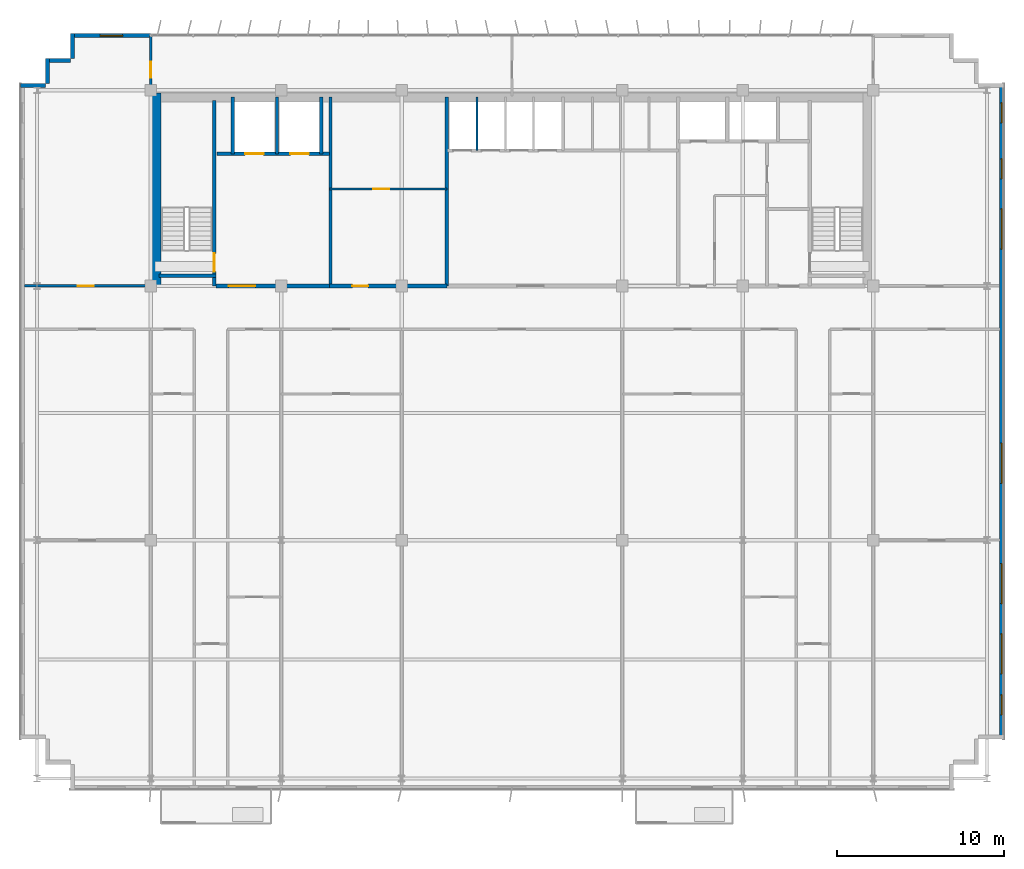
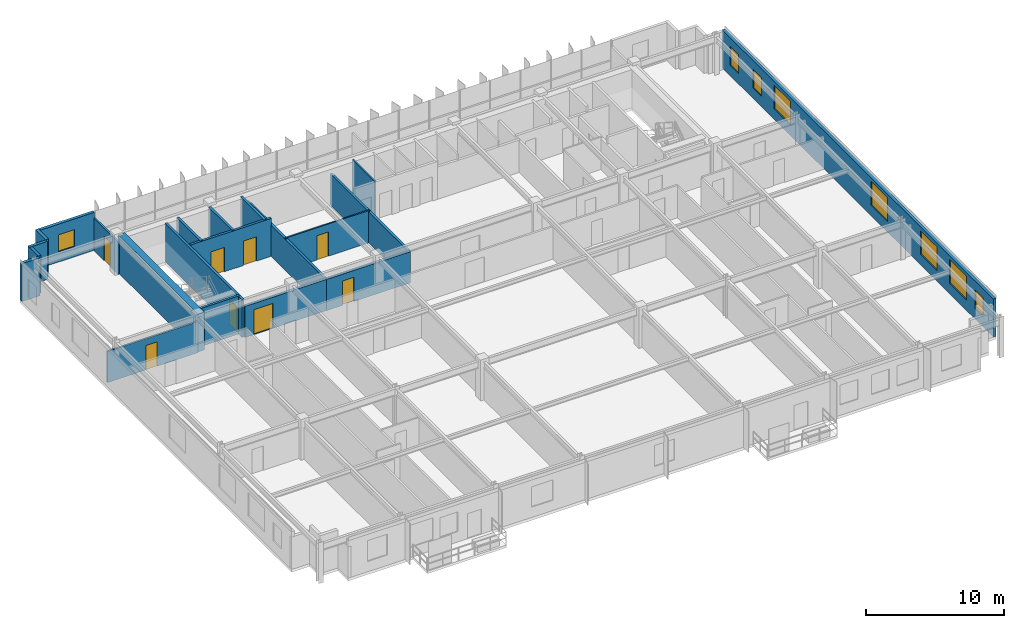
# One storey, part 16 of 20: 21 walls, 8 doors, 8 windows, 16 openings.
"""IFC4 building model written with IfcOpenShell, lengths in metres."""

from ifc_helpers import new_model, si_unit, direction, frame, frame_2d, origin, place, context, subcontext, project, spatial, rectangle, extrude, source, transform, mapped, material, layer, layer_set, type_object, element, fill, save


model = new_model("IFC4")

# Units and contexts
model_context = context("Model", 3, precision=1e-05, world=origin(), true_north=direction((0.0, 1.0)))
body_context = subcontext(model_context, "Body", "Model", "MODEL_VIEW")
ifc_project = project(units=[si_unit("LENGTHUNIT", "METRE"), si_unit("AREAUNIT", "SQUARE_METRE"), si_unit("VOLUMEUNIT", "CUBIC_METRE"), si_unit("PLANEANGLEUNIT", "RADIAN"), si_unit("MASSUNIT", "GRAM", prefix="KILO")], contexts=[model_context])

# Site, building, storey
site_placement = place(None, origin())
site = spatial("IfcSite", under=ifc_project, at=site_placement, CompositionType="ELEMENT")
building_placement = place(site_placement, origin())
building = spatial("IfcBuilding", under=site, at=building_placement, Name="Trelvane Seafront Commons", CompositionType="ELEMENT")
storey_placement = place(building_placement, frame((0.0, 0.0, 150.10009765625)))
storey = spatial("IfcBuildingStorey", under=building, at=storey_placement, Name="L39", CompositionType="ELEMENT", Elevation=150.10009765625)

# Wall, opening, window
ifc_material_1 = material(Name="Precast concrete C40/50", Category="concrete")
ifc_layer_1 = layer(ifc_material_1, 0.239990234375, Name="ARCH-WALL-EXT240")
ifc_layer_set_1 = layer_set([ifc_layer_1], Name="Precast concrete C40/50")
wall_type_1 = type_object("IfcWallType", Name="ARCH-WALL-EXT240", PredefinedType="SOLIDWALL", material=ifc_layer_set_1)
wall_1_placement = place(storey_placement, frame((10.89990234375, 48.3701171875, 0.0), z_axis=(0.0, 0.0, 1.0), x_axis=(1.0, 0.0, 0.0)))
wall_1 = element("IfcWall", 1, at=wall_1_placement, inside=storey, type_object=wall_type_1, Name="EW-L39-NW-0758", PredefinedType="SOLIDWALL", context=body_context, shape_type="SweptSolid", body=[
    extrude(rectangle(XDim=4.7001953125, YDim=0.239990234375, at=frame_2d((2.35009765625, 0.0))), origin(), (0.0, 0.0, 1.0), 3.349853515625),
])
opening_1_placement = place(wall_1_placement, frame((1.675048828125, 0.0, 0.89990234375)))
opening_1 = element("IfcOpeningElement", 2, at=opening_1_placement, cuts=wall_1, Name="Opening W09", PredefinedType="OPENING", context=body_context, shape_type="SweptSolid", body=[
    extrude(rectangle(XDim=1.35009765625, YDim=1.5, at=frame_2d((0.675048828125, 0.75))), frame((0.0, 0.1298828125, 0.0), z_axis=(0.0, -1.0, 0.0), x_axis=(1.0, 0.0, 0.0)), (0.0, 0.0, 1.0), 0.260009765625),
])
ifc_material_2 = material(Name="Low-E coastal double glazing", Category="glass")
window_type_1 = type_object("IfcWindowType", Name="ARCH-WIN-W09", PartitioningType="SINGLE_PANEL", PredefinedType="WINDOW", material=ifc_material_2)
shared_shape_1 = source(origin(), body_context, "Body", "SweptSolid", [
    extrude(rectangle(XDim=1.35009765625, YDim=1.5, at=frame_2d((0.675048828125, 0.75))), frame((0.0, 0.030029296875, 0.0), z_axis=(0.0, -1.0, 0.0), x_axis=(1.0, 0.0, 0.0)), (0.0, 0.0, 1.0), 0.06005859375),
])
window_1_placement = place(opening_1_placement, origin())
window_1 = element("IfcWindow", 3, at=window_1_placement, inside=storey, type_object=window_type_1, Name="WIN-L39-00900", OverallHeight=1.5, OverallWidth=1.35009765625, PartitioningType="SINGLE_PANEL", PredefinedType="WINDOW", context=body_context, shape_type="MappedRepresentation", body=[
    mapped(shared_shape_1, transform((0.0, 0.0, 0.0), x_axis=(1.0, 0.0, 0.0), y_axis=(0.0, 1.0, 0.0), z_axis=(0.0, 0.0, 1.0), scale=1.0)),
])
fill(opening_1, window_1)

# Walls
for number, where, z_axis, x_axis, name in (
    (4, (7.800048828125, 45.3798828125, 0.0), (0.0, 0.0, 1.0), (1.0, 0.0, 0.0), "EW-L39-00764"),
    (5, (9.419921875, 45.5, 0.0), (0.0, 0.0, 1.0), (0.0, 1.0, 0.0), "EW-L39-00765"),
    (6, (9.300048828125, 46.8798828125, 0.0), (0.0, 0.0, 1.0), (1.0, 0.0, 0.0), "EW-L39-00766"),
    (7, (10.919921875, 47.0, 0.0), (0.0, 0.0, 1.0), (0.0, 1.0, 0.0), "EW-L39-00767"),
):
    element("IfcWall", number, at=place(storey_placement, frame(where, z_axis=z_axis, x_axis=x_axis)), inside=storey, type_object=wall_type_1, Name=name, PredefinedType="SOLIDWALL", context=body_context, shape_type="SweptSolid", body=[
        extrude(rectangle(XDim=1.5, YDim=0.239990234375, at=frame_2d((0.75, 0.0))), origin(), (0.0, 0.0, 1.0), 3.349853515625),
    ])

# Wall, openings, windows
wall_2_placement = place(storey_placement, frame((66.47998046875, 45.5, 0.0), z_axis=(0.0, 0.0, 1.0), x_axis=(0.0, -1.0, 0.0)))
wall_2 = element("IfcWall", 8, at=wall_2_placement, inside=storey, type_object=wall_type_1, Name="EW-L39-00772", PredefinedType="SOLIDWALL", context=body_context, shape_type="SweptSolid", body=[
    extrude(rectangle(XDim=39.199951171875, YDim=0.239990234375, at=frame_2d((19.60009765625, 0.0))), origin(), (0.0, 0.0, 1.0), 3.349853515625),
])
opening_2_placement = place(wall_2_placement, frame((36.550048828125, 0.0, 0.919921875)))
opening_2 = element("IfcOpeningElement", 9, at=opening_2_placement, cuts=wall_2, Name="Opening W05", PredefinedType="OPENING", context=body_context, shape_type="SweptSolid", body=[
    extrude(rectangle(XDim=1.199951171875, YDim=1.64990234375, at=frame_2d((0.60009765625, 0.824951171875))), frame((0.0, 0.1298828125, 0.0), z_axis=(0.0, -1.0, 0.0), x_axis=(1.0, 0.0, 0.0)), (0.0, 0.0, 1.0), 0.260009765625),
])
opening_3_placement = place(wall_2_placement, frame((32.89990234375, 0.0, 0.919921875)))
opening_3 = element("IfcOpeningElement", 10, at=opening_3_placement, cuts=wall_2, Name="Opening W08", PredefinedType="OPENING", context=body_context, shape_type="SweptSolid", body=[
    extrude(rectangle(XDim=2.39990234375, YDim=2.10009765625, at=frame_2d((1.199951171875, 1.050048828125))), frame((0.0, 0.1298828125, 0.0), z_axis=(0.0, -1.0, 0.0), x_axis=(1.0, 0.0, 0.0)), (0.0, 0.0, 1.0), 0.260009765625),
])
opening_4_placement = place(wall_2_placement, frame((28.699951171875, 0.0, 0.919921875)))
opening_4 = element("IfcOpeningElement", 11, at=opening_4_placement, cuts=wall_2, Name="Opening W08", PredefinedType="OPENING", context=body_context, shape_type="SweptSolid", body=[
    extrude(rectangle(XDim=2.39990234375, YDim=2.10009765625, at=frame_2d((1.199951171875, 1.050048828125))), frame((0.0, 0.1298828125, 0.0), z_axis=(0.0, -1.0, 0.0), x_axis=(1.0, 0.0, 0.0)), (0.0, 0.0, 1.0), 0.260009765625),
])
opening_5_placement = place(wall_2_placement, frame((21.5, 0.0, 0.919921875)))
opening_5 = element("IfcOpeningElement", 12, at=opening_5_placement, cuts=wall_2, Name="Opening W08", PredefinedType="OPENING", context=body_context, shape_type="SweptSolid", body=[
    extrude(rectangle(XDim=2.39990234375, YDim=2.10009765625, at=frame_2d((1.199951171875, 1.050048828125))), frame((0.0, 0.1298828125, 0.0), z_axis=(0.0, -1.0, 0.0), x_axis=(1.0, 0.0, 0.0)), (0.0, 0.0, 1.0), 0.260009765625),
])
opening_6_placement = place(wall_2_placement, frame((7.5, 0.0, 0.919921875)))
opening_6 = element("IfcOpeningElement", 13, at=opening_6_placement, cuts=wall_2, Name="Opening W08", PredefinedType="OPENING", context=body_context, shape_type="SweptSolid", body=[
    extrude(rectangle(XDim=2.39990234375, YDim=2.10009765625, at=frame_2d((1.199951171875, 1.050048828125))), frame((0.0, 0.1298828125, 0.0), z_axis=(0.0, -1.0, 0.0), x_axis=(1.0, 0.0, 0.0)), (0.0, 0.0, 1.0), 0.260009765625),
])
opening_7_placement = place(wall_2_placement, frame((4.5, 0.0, 0.919921875)))
opening_7 = element("IfcOpeningElement", 14, at=opening_7_placement, cuts=wall_2, Name="Opening W05", PredefinedType="OPENING", context=body_context, shape_type="SweptSolid", body=[
    extrude(rectangle(XDim=1.199951171875, YDim=1.64990234375, at=frame_2d((0.60009765625, 0.824951171875))), frame((0.0, 0.1298828125, 0.0), z_axis=(0.0, -1.0, 0.0), x_axis=(1.0, 0.0, 0.0)), (0.0, 0.0, 1.0), 0.260009765625),
])
opening_8_placement = place(wall_2_placement, frame((1.14990234375, 0.0, 0.919921875)))
opening_8 = element("IfcOpeningElement", 15, at=opening_8_placement, cuts=wall_2, Name="Opening W05", PredefinedType="OPENING", context=body_context, shape_type="SweptSolid", body=[
    extrude(rectangle(XDim=1.199951171875, YDim=1.64990234375, at=frame_2d((0.60009765625, 0.824951171875))), frame((0.0, 0.1298828125, 0.0), z_axis=(0.0, -1.0, 0.0), x_axis=(1.0, 0.0, 0.0)), (0.0, 0.0, 1.0), 0.260009765625),
])
window_type_2 = type_object("IfcWindowType", Name="ARCH-WIN-W08", PartitioningType="SINGLE_PANEL", PredefinedType="WINDOW", material=ifc_material_2)
shared_shape_2 = source(origin(), body_context, "Body", "SweptSolid", [
    extrude(rectangle(XDim=2.39990234375, YDim=2.10009765625, at=frame_2d((1.199951171875, 1.050048828125))), frame((0.0, 0.030029296875, 0.0), z_axis=(0.0, -1.0, 0.0), x_axis=(1.0, 0.0, 0.0)), (0.0, 0.0, 1.0), 0.06005859375),
])
window_2_placement = place(opening_3_placement, origin())
window_2 = element("IfcWindow", 16, at=window_2_placement, inside=storey, type_object=window_type_2, Name="WIN-L39-EW-00910", OverallHeight=2.10009765625, OverallWidth=2.39990234375, PartitioningType="SINGLE_PANEL", PredefinedType="WINDOW", context=body_context, shape_type="MappedRepresentation", body=[
    mapped(shared_shape_2, transform((0.0, 0.0, 0.0), x_axis=(1.0, 0.0, 0.0), y_axis=(0.0, 1.0, 0.0), z_axis=(0.0, 0.0, 1.0), scale=1.0)),
])
fill(opening_3, window_2)
window_3_placement = place(opening_4_placement, origin())
window_3 = element("IfcWindow", 17, at=window_3_placement, inside=storey, type_object=window_type_2, Name="WIN-L39-EW-00911", OverallHeight=2.10009765625, OverallWidth=2.39990234375, PartitioningType="SINGLE_PANEL", PredefinedType="WINDOW", context=body_context, shape_type="MappedRepresentation", body=[
    mapped(shared_shape_2, transform((0.0, 0.0, 0.0), x_axis=(1.0, 0.0, 0.0), y_axis=(0.0, 1.0, 0.0), z_axis=(0.0, 0.0, 1.0), scale=1.0)),
])
fill(opening_4, window_3)
window_4_placement = place(opening_5_placement, origin())
window_4 = element("IfcWindow", 18, at=window_4_placement, inside=storey, type_object=window_type_2, Name="WIN-L39-EW-00912", OverallHeight=2.10009765625, OverallWidth=2.39990234375, PartitioningType="SINGLE_PANEL", PredefinedType="WINDOW", context=body_context, shape_type="MappedRepresentation", body=[
    mapped(shared_shape_2, transform((0.0, 0.0, 0.0), x_axis=(1.0, 0.0, 0.0), y_axis=(0.0, 1.0, 0.0), z_axis=(0.0, 0.0, 1.0), scale=1.0)),
])
fill(opening_5, window_4)
window_5_placement = place(opening_6_placement, origin())
window_5 = element("IfcWindow", 19, at=window_5_placement, inside=storey, type_object=window_type_2, Name="WIN-L39-EW-00913", OverallHeight=2.10009765625, OverallWidth=2.39990234375, PartitioningType="SINGLE_PANEL", PredefinedType="WINDOW", context=body_context, shape_type="MappedRepresentation", body=[
    mapped(shared_shape_2, transform((0.0, 0.0, 0.0), x_axis=(1.0, 0.0, 0.0), y_axis=(0.0, 1.0, 0.0), z_axis=(0.0, 0.0, 1.0), scale=1.0)),
])
fill(opening_6, window_5)
window_type_3 = type_object("IfcWindowType", Name="ARCH-WIN-W05", PartitioningType="SINGLE_PANEL", PredefinedType="WINDOW", material=ifc_material_2)
shared_shape_3 = source(origin(), body_context, "Body", "SweptSolid", [
    extrude(rectangle(XDim=1.199951171875, YDim=1.64990234375, at=frame_2d((0.60009765625, 0.824951171875))), frame((0.0, 0.030029296875, 0.0), z_axis=(0.0, -1.0, 0.0), x_axis=(1.0, 0.0, 0.0)), (0.0, 0.0, 1.0), 0.06005859375),
])
window_6_placement = place(opening_2_placement, origin())
window_6 = element("IfcWindow", 20, at=window_6_placement, inside=storey, type_object=window_type_3, Name="WIN-L39-EW-00909", OverallHeight=1.64990234375, OverallWidth=1.199951171875, PartitioningType="SINGLE_PANEL", PredefinedType="WINDOW", context=body_context, shape_type="MappedRepresentation", body=[
    mapped(shared_shape_3, transform((0.0, 0.0, 0.0), x_axis=(1.0, 0.0, 0.0), y_axis=(0.0, 1.0, 0.0), z_axis=(0.0, 0.0, 1.0), scale=1.0)),
])
fill(opening_2, window_6)
window_7_placement = place(opening_7_placement, origin())
window_7 = element("IfcWindow", 21, at=window_7_placement, inside=storey, type_object=window_type_3, Name="WIN-L39-EW-00914", OverallHeight=1.64990234375, OverallWidth=1.199951171875, PartitioningType="SINGLE_PANEL", PredefinedType="WINDOW", context=body_context, shape_type="MappedRepresentation", body=[
    mapped(shared_shape_3, transform((0.0, 0.0, 0.0), x_axis=(1.0, 0.0, 0.0), y_axis=(0.0, 1.0, 0.0), z_axis=(0.0, 0.0, 1.0), scale=1.0)),
])
fill(opening_7, window_7)
window_8_placement = place(opening_8_placement, origin())
window_8 = element("IfcWindow", 22, at=window_8_placement, inside=storey, type_object=window_type_3, Name="WIN-L39-EW-00915", OverallHeight=1.64990234375, OverallWidth=1.199951171875, PartitioningType="SINGLE_PANEL", PredefinedType="WINDOW", context=body_context, shape_type="MappedRepresentation", body=[
    mapped(shared_shape_3, transform((0.0, 0.0, 0.0), x_axis=(1.0, 0.0, 0.0), y_axis=(0.0, 1.0, 0.0), z_axis=(0.0, 0.0, 1.0), scale=1.0)),
])
fill(opening_8, window_8)

# Wall, opening, door
ifc_material_3 = material(Name="Concrete C40/50", Category="concrete")
ifc_layer_2 = layer(ifc_material_3, 0.25, Name="ARCH-WALL-FIRE250")
ifc_layer_set_2 = layer_set([ifc_layer_2], Name="Concrete C40/50")
wall_type_2 = type_object("IfcWallType", Name="ARCH-WALL-FIRE250", PredefinedType="PARTITIONING", material=ifc_layer_set_2)
wall_3_placement = place(storey_placement, frame((19.5, 33.39990234375, 0.0), z_axis=(0.0, 0.0, 1.0), x_axis=(1.0, 0.0, 0.0)))
wall_3 = element("IfcWall", 23, at=wall_3_placement, inside=storey, type_object=wall_type_2, Name="W-L39-CS-FFL-013", PredefinedType="PARTITIONING", context=body_context, shape_type="SweptSolid", body=[
    extrude(rectangle(XDim=6.800048828125, YDim=0.25, at=frame_2d((3.39990234375, 0.0))), origin(), (0.0, 0.0, 1.0), 2.75),
])
opening_9_placement = place(wall_3_placement, frame((0.75, 0.0, 0.0)))
opening_9 = element("IfcOpeningElement", 24, at=opening_9_placement, cuts=wall_3, Name="Opening FD-L39-05", PredefinedType="OPENING", context=body_context, shape_type="SweptSolid", body=[
    extrude(rectangle(XDim=1.60009765625, YDim=2.199951171875, at=frame_2d((0.800048828125, 1.10009765625))), frame((0.0, 0.135009765625, 0.0), z_axis=(0.0, -1.0, 0.0), x_axis=(1.0, 0.0, 0.0)), (0.0, 0.0, 1.0), 0.27001953125),
])
ifc_material_4 = material(Name="Powder-coated aluminium frame", Category="aluminium")
door_type_1 = type_object("IfcDoorType", Name="ARCH-DR-FD60-1600", OperationType="DOUBLE_DOOR_SINGLE_SWING", PredefinedType="DOOR", material=ifc_material_4)
shared_shape_4 = source(origin(), body_context, "Body", "SweptSolid", [
    extrude(rectangle(XDim=1.60009765625, YDim=2.199951171875, at=frame_2d((0.800048828125, 1.10009765625))), frame((0.0, 0.02490234375, 0.0), z_axis=(0.0, -1.0, 0.0), x_axis=(1.0, 0.0, 0.0)), (0.0, 0.0, 1.0), 0.050048828125),
])
door_1_placement = place(opening_9_placement, origin())
door_1 = element("IfcDoor", 25, at=door_1_placement, inside=storey, type_object=door_type_1, Name="L39 Firefighting Lift Lobby Double Fire Door", OperationType="DOUBLE_DOOR_SINGLE_SWING", OverallHeight=2.199951171875, OverallWidth=1.60009765625, PredefinedType="DOOR", context=body_context, shape_type="MappedRepresentation", body=[
    mapped(shared_shape_4, transform((0.0, 0.0, 0.0), x_axis=(1.0, 0.0, 0.0), y_axis=(0.0, 1.0, 0.0), z_axis=(0.0, 0.0, 1.0), scale=1.0)),
])
fill(opening_9, door_1)

wall_4_placement = place(storey_placement, frame((26.300048828125, 33.39990234375, 0.0), z_axis=(0.0, 0.0, 1.0), x_axis=(1.0, 0.0, 0.0)))
wall_4 = element("IfcWall", 26, at=wall_4_placement, inside=storey, type_object=wall_type_2, Name="W-L39-CS-FPL-026", PredefinedType="PARTITIONING", context=body_context, shape_type="SweptSolid", body=[
    extrude(rectangle(XDim=7.0, YDim=0.25, at=frame_2d((3.5, 0.0))), origin(), (0.0, 0.0, 1.0), 2.75),
])
opening_10_placement = place(wall_4_placement, frame((1.35009765625, 0.0, 0.0)))
opening_10 = element("IfcOpeningElement", 27, at=opening_10_placement, cuts=wall_4, Name="Opening D-L39-11", PredefinedType="OPENING", context=body_context, shape_type="SweptSolid", body=[
    extrude(rectangle(XDim=0.949951171875, YDim=2.14990234375, at=frame_2d((0.47509765625, 1.074951171875))), frame((0.0, 0.135009765625, 0.0), z_axis=(0.0, -1.0, 0.0), x_axis=(1.0, 0.0, 0.0)), (0.0, 0.0, 1.0), 0.27001953125),
])
ifc_material_5 = material(Name="Acoustic timber door leaf", Category="wood")
door_type_2 = type_object("IfcDoorType", Name="ARCH-DR-INT950", OperationType="NOTDEFINED", PredefinedType="DOOR", material=ifc_material_5)
shared_shape_5 = source(origin(), body_context, "Body", "SweptSolid", [
    extrude(rectangle(XDim=0.949951171875, YDim=2.14990234375, at=frame_2d((0.47509765625, 1.074951171875))), frame((0.0, 0.02490234375, 0.0), z_axis=(0.0, -1.0, 0.0), x_axis=(1.0, 0.0, 0.0)), (0.0, 0.0, 1.0), 0.050048828125),
])
door_2_placement = place(opening_10_placement, origin())
door_2 = element("IfcDoor", 28, at=door_2_placement, inside=storey, type_object=door_type_2, Name="L39 Floor Pantry Entrance Door", OperationType="SINGLE_SWING_LEFT", OverallHeight=2.14990234375, OverallWidth=0.949951171875, PredefinedType="DOOR", context=body_context, shape_type="MappedRepresentation", body=[
    mapped(shared_shape_5, transform((0.0, 0.0, 0.0), x_axis=(1.0, 0.0, 0.0), y_axis=(0.0, 1.0, 0.0), z_axis=(0.0, 0.0, 1.0), scale=1.0)),
])
fill(opening_10, door_2)

ifc_material_6 = material(Name="Gypsum Drywall Acoustic Partition")
ifc_layer_3 = layer(ifc_material_6, 0.1201171875, Name="ARCH-WALL-PART120")
ifc_layer_set_3 = layer_set([ifc_layer_3], Name="Gypsum Drywall Acoustic Partition")
wall_type_3 = type_object("IfcWallType", Name="ARCH-WALL-PART120", PredefinedType="PARTITIONING", material=ifc_layer_set_3)
wall_5_placement = place(storey_placement, frame((26.300048828125, 39.199951171875, 0.0), z_axis=(0.0, 0.0, 1.0), x_axis=(1.0, 0.0, 0.0)))
wall_5 = element("IfcWall", 29, at=wall_5_placement, inside=storey, type_object=wall_type_3, Name="W-L39-FREED-PL-MID-014", PredefinedType="PARTITIONING", context=body_context, shape_type="SweptSolid", body=[
    extrude(rectangle(XDim=7.0, YDim=0.1201171875, at=frame_2d((3.5, 0.0))), origin(), (0.0, 0.0, 1.0), 2.849853515625),
])
opening_11_placement = place(wall_5_placement, frame((2.60009765625, 0.0, 0.0)))
opening_11 = element("IfcOpeningElement", 30, at=opening_11_placement, cuts=wall_5, Name="Opening D-L39-06", PredefinedType="OPENING", context=body_context, shape_type="SweptSolid", body=[
    extrude(rectangle(XDim=0.949951171875, YDim=2.14990234375, at=frame_2d((0.47509765625, 1.074951171875))), frame((0.0, 0.070068359375, 0.0), z_axis=(0.0, -1.0, 0.0), x_axis=(1.0, 0.0, 0.0)), (0.0, 0.0, 1.0), 0.14013671875),
])
door_3_placement = place(opening_11_placement, origin())
door_3 = element("IfcDoor", 31, at=door_3_placement, inside=storey, type_object=door_type_2, Name="L39 Housekeeping Store Door", OperationType="SINGLE_SWING_RIGHT", OverallHeight=2.14990234375, OverallWidth=0.949951171875, PredefinedType="DOOR", context=body_context, shape_type="MappedRepresentation", body=[
    mapped(shared_shape_5, transform((0.0, 0.0, 0.0), x_axis=(1.0, 0.0, 0.0), y_axis=(0.0, 1.0, 0.0), z_axis=(0.0, 0.0, 1.0), scale=1.0)),
])
fill(opening_11, door_3)

# Wall
wall_6_placement = place(storey_placement, frame((35.10009765625, 41.5, 0.0), z_axis=(0.0, 0.0, 1.0), x_axis=(0.0, 1.0, 0.0)))
element("IfcWall", 32, at=wall_6_placement, inside=storey, type_object=wall_type_3, Name="W-L39-PM-DIV1-017", PredefinedType="PARTITIONING", context=body_context, shape_type="SweptSolid", body=[
    extrude(rectangle(XDim=3.199951171875, YDim=0.1201171875, at=frame_2d((1.60009765625, 0.0))), origin(), (0.0, 0.0, 1.0), 3.349853515625),
])

# Wall, opening, door
ifc_layer_4 = layer(ifc_material_6, 0.14990234375, Name="ARCH-WALL-PART150")
ifc_layer_set_4 = layer_set([ifc_layer_4], Name="Gypsum Drywall Acoustic Partition")
wall_type_4 = type_object("IfcWallType", Name="ARCH-WALL-PART150", PredefinedType="PARTITIONING", material=ifc_layer_set_4)
wall_7_placement = place(storey_placement, frame((8.050048828125, 33.39990234375, 0.0), z_axis=(0.0, 0.0, 1.0), x_axis=(1.0, 0.0, 0.0)))
wall_7 = element("IfcWall", 33, at=wall_7_placement, inside=storey, type_object=wall_type_4, Name="W-L39-NW-ENT-036", PredefinedType="PARTITIONING", context=body_context, shape_type="SweptSolid", body=[
    extrude(rectangle(XDim=7.550048828125, YDim=0.14990234375, at=frame_2d((3.77490234375, 0.0))), origin(), (0.0, 0.0, 1.0), 2.75),
])
opening_12_placement = place(wall_7_placement, frame((3.199951171875, 0.0, 0.0)))
opening_12 = element("IfcOpeningElement", 34, at=opening_12_placement, cuts=wall_7, Name="Opening FD-L39-19", PredefinedType="OPENING", context=body_context, shape_type="SweptSolid", body=[
    extrude(rectangle(XDim=0.949951171875, YDim=2.14990234375, at=frame_2d((0.47509765625, 1.074951171875))), frame((0.0, 0.0849609375, 0.0), z_axis=(0.0, -1.0, 0.0), x_axis=(1.0, 0.0, 0.0)), (0.0, 0.0, 1.0), 0.169921875),
])
door_type_3 = type_object("IfcDoorType", Name="ARCH-DR-FD60-950", OperationType="NOTDEFINED", PredefinedType="DOOR", material=ifc_material_4)
door_4_placement = place(opening_12_placement, origin())
door_4 = element("IfcDoor", 35, at=door_4_placement, inside=storey, type_object=door_type_3, Name="L39 NW Suite Entrance Door", OperationType="SINGLE_SWING_LEFT", OverallHeight=2.14990234375, OverallWidth=0.949951171875, PredefinedType="DOOR", context=body_context, shape_type="MappedRepresentation", body=[
    mapped(shared_shape_5, transform((0.0, 0.0, 0.0), x_axis=(1.0, 0.0, 0.0), y_axis=(0.0, 1.0, 0.0), z_axis=(0.0, 0.0, 1.0), scale=1.0)),
])
fill(opening_12, door_4)

wall_8_placement = place(storey_placement, frame((15.60009765625, 44.75, 0.0), z_axis=(0.0, 0.0, 1.0), x_axis=(0.0, 1.0, 0.0)))
wall_8 = element("IfcWall", 36, at=wall_8_placement, inside=storey, type_object=wall_type_4, Name="W-L39-N-LINK-W-039", PredefinedType="PARTITIONING", context=body_context, shape_type="SweptSolid", body=[
    extrude(rectangle(XDim=3.610107421875, YDim=0.14990234375, at=frame_2d((1.80517578125, 0.0))), origin(), (0.0, 0.0, 1.0), 2.849853515625),
])
opening_13_placement = place(wall_8_placement, frame((1.10009765625, 0.0, 0.0)))
opening_13 = element("IfcOpeningElement", 37, at=opening_13_placement, cuts=wall_8, Name="Opening FD-L39-22", PredefinedType="OPENING", context=body_context, shape_type="SweptSolid", body=[
    extrude(rectangle(XDim=0.949951171875, YDim=2.14990234375, at=frame_2d((0.47509765625, 1.074951171875))), frame((0.0, 0.0849609375, 0.0), z_axis=(0.0, -1.0, 0.0), x_axis=(1.0, 0.0, 0.0)), (0.0, 0.0, 1.0), 0.169921875),
])
door_5_placement = place(opening_13_placement, origin())
door_5 = element("IfcDoor", 38, at=door_5_placement, inside=storey, type_object=door_type_3, Name="L39 Door 22", OperationType="SINGLE_SWING_RIGHT", OverallHeight=2.14990234375, OverallWidth=0.949951171875, PredefinedType="DOOR", context=body_context, shape_type="MappedRepresentation", body=[
    mapped(shared_shape_5, transform((0.0, 0.0, 0.0), x_axis=(1.0, 0.0, 0.0), y_axis=(0.0, 1.0, 0.0), z_axis=(0.0, 0.0, 1.0), scale=1.0)),
])
fill(opening_13, door_5)

# Wall, openings, doors
ifc_layer_5 = layer(ifc_material_3, 0.199951171875, Name="ARCH-WALL-SHAFT200")
ifc_layer_set_5 = layer_set([ifc_layer_5], Name="Concrete C40/50")
wall_type_5 = type_object("IfcWallType", Name="ARCH-WALL-SHAFT200", PredefinedType="SOLIDWALL", material=ifc_layer_set_5)
wall_9_placement = place(storey_placement, frame((19.550048828125, 41.300048828125, 0.0), z_axis=(0.0, 0.0, 1.0), x_axis=(1.0, 0.0, 0.0)))
wall_9 = element("IfcWall", 39, at=wall_9_placement, inside=storey, type_object=wall_type_5, Name="W-L39-FFL-FRONT-008", PredefinedType="SOLIDWALL", context=body_context, shape_type="SweptSolid", body=[
    extrude(rectangle(XDim=6.75, YDim=0.199951171875, at=frame_2d((3.375, 0.0))), origin(), (0.0, 0.0, 1.0), 3.349853515625),
])
opening_14_placement = place(wall_9_placement, frame((1.699951171875, 0.0, 0.0)))
opening_14 = element("IfcOpeningElement", 40, at=opening_14_placement, cuts=wall_9, Name="Opening LD-FF1-L39", PredefinedType="OPENING", context=body_context, shape_type="SweptSolid", body=[
    extrude(rectangle(XDim=1.10009765625, YDim=2.14990234375, at=frame_2d((0.550048828125, 1.074951171875))), frame((0.0, 0.10986328125, 0.0), z_axis=(0.0, -1.0, 0.0), x_axis=(1.0, 0.0, 0.0)), (0.0, 0.0, 1.0), 0.219970703125),
])
opening_15_placement = place(wall_9_placement, frame((4.39990234375, 0.0, 0.0)))
opening_15 = element("IfcOpeningElement", 41, at=opening_15_placement, cuts=wall_9, Name="Opening LD-FF2-L39", PredefinedType="OPENING", context=body_context, shape_type="SweptSolid", body=[
    extrude(rectangle(XDim=1.10009765625, YDim=2.14990234375, at=frame_2d((0.550048828125, 1.074951171875))), frame((0.0, 0.10986328125, 0.0), z_axis=(0.0, -1.0, 0.0), x_axis=(1.0, 0.0, 0.0)), (0.0, 0.0, 1.0), 0.219970703125),
])
ifc_material_7 = material(Name="Stainless steel balustrade", Category="steel")
door_type_4 = type_object("IfcDoorType", Name="ARCH-DR-LD1100", OperationType="DOUBLE_DOOR_SLIDING", PredefinedType="DOOR", material=ifc_material_7)
shared_shape_6 = source(origin(), body_context, "Body", "SweptSolid", [
    extrude(rectangle(XDim=1.10009765625, YDim=2.14990234375, at=frame_2d((0.550048828125, 1.074951171875))), frame((0.0, 0.02490234375, 0.0), z_axis=(0.0, -1.0, 0.0), x_axis=(1.0, 0.0, 0.0)), (0.0, 0.0, 1.0), 0.050048828125),
])
door_6_placement = place(opening_14_placement, origin())
door_6 = element("IfcDoor", 42, at=door_6_placement, inside=storey, type_object=door_type_4, Name="L39 Firefighting Lift FFL-1 Landing Door", OperationType="DOUBLE_DOOR_SLIDING", OverallHeight=2.14990234375, OverallWidth=1.10009765625, PredefinedType="DOOR", context=body_context, shape_type="MappedRepresentation", body=[
    mapped(shared_shape_6, transform((0.0, 0.0, 0.0), x_axis=(1.0, 0.0, 0.0), y_axis=(0.0, 1.0, 0.0), z_axis=(0.0, 0.0, 1.0), scale=1.0)),
])
fill(opening_14, door_6)
door_7_placement = place(opening_15_placement, origin())
door_7 = element("IfcDoor", 43, at=door_7_placement, inside=storey, type_object=door_type_4, Name="L39 Firefighting Lift FFL-2 Landing Door", OperationType="DOUBLE_DOOR_SLIDING", OverallHeight=2.14990234375, OverallWidth=1.10009765625, PredefinedType="DOOR", context=body_context, shape_type="MappedRepresentation", body=[
    mapped(shared_shape_6, transform((0.0, 0.0, 0.0), x_axis=(1.0, 0.0, 0.0), y_axis=(0.0, 1.0, 0.0), z_axis=(0.0, 0.0, 1.0), scale=1.0)),
])
fill(opening_15, door_7)

# Walls
for number, where, z_axis, x_axis, name in (
    (44, (20.5, 41.300048828125, 0.0), (0.0, 0.0, 1.0), (0.0, 1.0, 0.0), "W-L39-FFL-SH-W-009"),
    (45, (23.14990234375, 41.300048828125, 0.0), (0.0, 0.0, 1.0), (0.0, 1.0, 0.0), "W-L39-FFL-DIV-010"),
    (46, (25.800048828125, 41.300048828125, 0.0), (0.0, 0.0, 1.0), (0.0, 1.0, 0.0), "W-L39-FFL-SH-E-011"),
):
    element("IfcWall", number, at=place(storey_placement, frame(where, z_axis=z_axis, x_axis=x_axis)), inside=storey, type_object=wall_type_5, Name=name, PredefinedType="SOLIDWALL", context=body_context, shape_type="SweptSolid", body=[
        extrude(rectangle(XDim=3.39990234375, YDim=0.199951171875, at=frame_2d((1.699951171875, 0.0))), origin(), (0.0, 0.0, 1.0), 3.349853515625),
    ])
for number, where, z_axis, x_axis, name in (
    (47, (26.35009765625, 33.39990234375, 0.0), (0.0, 0.0, 1.0), (0.0, 1.0, 0.0), "W-L39-FFL-EAST-012"),
    (48, (33.300048828125, 33.39990234375, 0.0), (0.0, 0.0, 1.0), (0.0, 1.0, 0.0), "W-L39-FREED-PL-E-015"),
):
    element("IfcWall", number, at=place(storey_placement, frame(where, z_axis=z_axis, x_axis=x_axis)), inside=storey, type_object=wall_type_5, Name=name, PredefinedType="SOLIDWALL", context=body_context, shape_type="SweptSolid", body=[
        extrude(rectangle(XDim=11.300048828125, YDim=0.199951171875, at=frame_2d((5.64990234375, 0.0))), origin(), (0.0, 0.0, 1.0), 2.75),
    ])
ifc_material_8 = material(Name="Concrete C50/60", Category="concrete")
ifc_layer_6 = layer(ifc_material_8, 0.550048828125, Name="STR-WALL-CORE550")
ifc_layer_set_6 = layer_set([ifc_layer_6], Name="Concrete C50/60")
wall_type_6 = type_object("IfcWallType", Name="STR-WALL-CORE550", PredefinedType="SHEAR", material=ifc_layer_set_6)
wall_10_placement = place(storey_placement, frame((15.925048828125, 33.39990234375, 0.0), z_axis=(0.0, 0.0, 1.0), x_axis=(0.0, 1.0, 0.0)))
element("IfcWall", 49, at=wall_10_placement, inside=storey, type_object=wall_type_6, Name="W-L39-CW-END-002", PredefinedType="SHEAR", context=body_context, shape_type="SweptSolid", body=[
    extrude(rectangle(XDim=11.550048828125, YDim=0.550048828125, at=frame_2d((5.77490234375, 0.0))), origin(), (0.0, 0.0, 1.0), 3.349853515625),
])
ifc_layer_7 = layer(ifc_material_8, 0.199951171875, Name="STR-WALL-STAIR200")
ifc_layer_set_7 = layer_set([ifc_layer_7], Name="Concrete C50/60")
wall_type_7 = type_object("IfcWallType", Name="STR-WALL-STAIR200", PredefinedType="SHEAR", material=ifc_layer_set_7)
wall_11_placement = place(storey_placement, frame((16.10009765625, 34.0, 0.0), z_axis=(0.0, 0.0, 1.0), x_axis=(1.0, 0.0, 0.0)))
element("IfcWall", 50, at=wall_11_placement, inside=storey, type_object=wall_type_7, Name="W-L39-ST1-S-004", PredefinedType="SHEAR", context=body_context, shape_type="SweptSolid", body=[
    extrude(rectangle(XDim=3.39990234375, YDim=0.199951171875, at=frame_2d((1.699951171875, 0.0))), origin(), (0.0, 0.0, 1.0), 3.349853515625),
])

# Wall, opening, door
wall_12_placement = place(storey_placement, frame((19.39990234375, 33.39990234375, 0.0), z_axis=(0.0, 0.0, 1.0), x_axis=(0.0, 1.0, 0.0)))
wall_12 = element("IfcWall", 51, at=wall_12_placement, inside=storey, type_object=wall_type_7, Name="W-L39-ST1-E-005", PredefinedType="SHEAR", context=body_context, shape_type="SweptSolid", body=[
    extrude(rectangle(XDim=11.10009765625, YDim=0.199951171875, at=frame_2d((5.550048828125, 0.0))), origin(), (0.0, 0.0, 1.0), 3.349853515625),
])
opening_16_placement = place(wall_12_placement, frame((0.85009765625, 0.0, 0.0)))
opening_16 = element("IfcOpeningElement", 52, at=opening_16_placement, cuts=wall_12, Name="Opening ST-D1-L39", PredefinedType="OPENING", context=body_context, shape_type="SweptSolid", body=[
    extrude(rectangle(XDim=1.10009765625, YDim=2.14990234375, at=frame_2d((0.550048828125, 1.074951171875))), frame((0.0, 0.10986328125, 0.0), z_axis=(0.0, -1.0, 0.0), x_axis=(1.0, 0.0, 0.0)), (0.0, 0.0, 1.0), 0.219970703125),
])
door_type_5 = type_object("IfcDoorType", Name="ARCH-DR-FD90-1100", OperationType="NOTDEFINED", PredefinedType="DOOR", material=ifc_material_4)
door_8_placement = place(opening_16_placement, origin())
door_8 = element("IfcDoor", 53, at=door_8_placement, inside=storey, type_object=door_type_5, Name="L39 Stair ST-1 Lobby Fire Door", OperationType="SINGLE_SWING_LEFT", OverallHeight=2.14990234375, OverallWidth=1.10009765625, PredefinedType="DOOR", context=body_context, shape_type="MappedRepresentation", body=[
    mapped(shared_shape_6, transform((0.0, 0.0, 0.0), x_axis=(1.0, 0.0, 0.0), y_axis=(0.0, 1.0, 0.0), z_axis=(0.0, 0.0, 1.0), scale=1.0)),
])
fill(opening_16, door_8)

save(model, "model.ifc")
